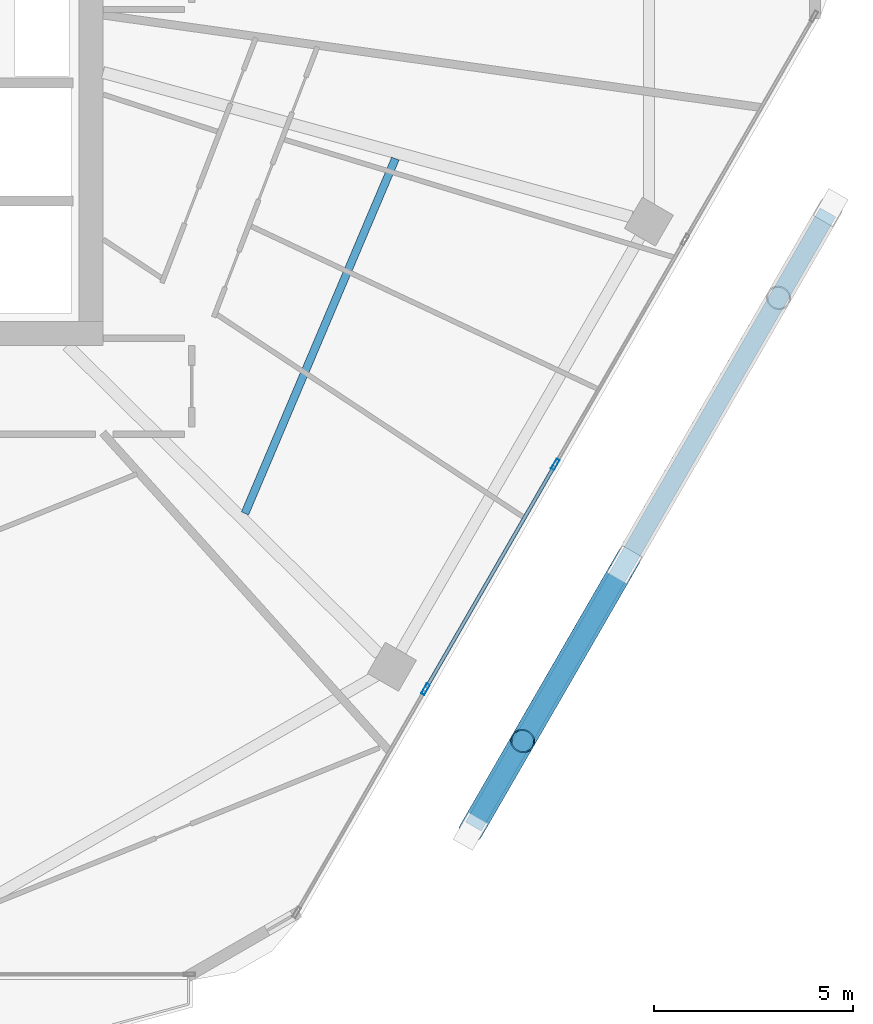
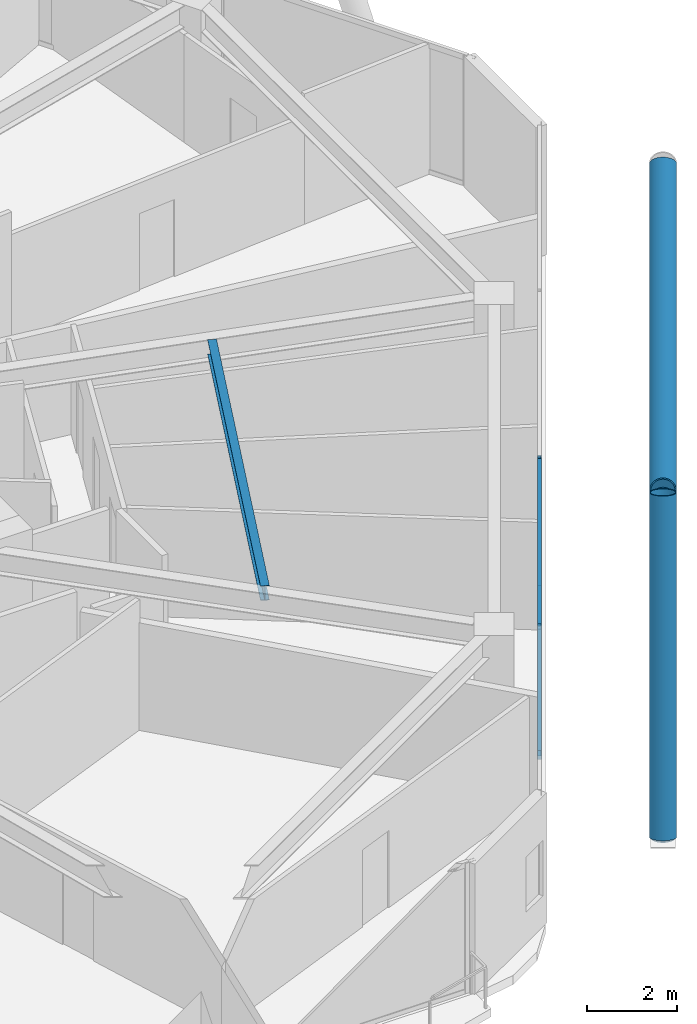
# One storey, part 9 of 26: 8 members, 1 beam, 1 element without a shape of its own.
"""IFC4 building model written with IfcOpenShell, lengths in metres."""

from ifc_helpers import new_model, si_unit, direction, frame, origin, origin_2d, place, context, subcontext, project, spatial, hollow_rectangle, hollow_circle, i_section, extrude, material, material_profile, profile_set, type_object, element, aggregate, save


model = new_model("IFC4")

# Units and contexts
model_context = context("Model", 3, precision=1e-05, world=origin(), true_north=direction((0.0, 1.0)))
body_context = subcontext(model_context, "Body", "Model", "MODEL_VIEW")
ifc_project = project(units=[si_unit("LENGTHUNIT", "METRE"), si_unit("AREAUNIT", "SQUARE_METRE"), si_unit("VOLUMEUNIT", "CUBIC_METRE"), si_unit("PLANEANGLEUNIT", "RADIAN"), si_unit("MASSUNIT", "GRAM", prefix="KILO")], contexts=[model_context])

# Site, building, storey
site_placement = place(None, origin())
site = spatial("IfcSite", under=ifc_project, at=site_placement, CompositionType="ELEMENT")
building_placement = place(site_placement, origin())
building = spatial("IfcBuilding", under=site, at=building_placement, Name="Zuhravey Tower", CompositionType="ELEMENT")
storey_placement = place(building_placement, frame((0.0, 0.0, 231.199951171875)))
storey = spatial("IfcBuildingStorey", under=building, at=storey_placement, Name="L58", CompositionType="ELEMENT", Elevation=231.199951171875)

# Curtain wall, members
ifc_material_1 = material(Name="Thermally broken anodised aluminium", Category="aluminium")
curtain_wall_type = type_object("IfcCurtainWallType", Name="Zone 3-4 High-Rise Curtain Wall CW4", PredefinedType="NOTDEFINED", material=ifc_material_1)
curtain_wall_placement = place(storey_placement, origin())
curtain_wall = element("IfcCurtainWall", 1, at=curtain_wall_placement, inside=storey, type_object=curtain_wall_type, Name="L58 CW4 CW-L58-F6-1", PredefinedType="NOTDEFINED")
ifc_material_2 = material(Name="Anodised aluminium", Category="aluminium")
ifc_material_profile_1 = material_profile(ifc_material_2, hollow_rectangle(XDim=0.090087890625, YDim=0.284912109375, WallThickness=0.0048828125, at=origin_2d()), Name="ALU-RHS-90x285x5")
ifc_profile_set_1 = profile_set([ifc_material_profile_1], Name="Anodised aluminium")
member_type_1 = type_object("IfcMemberType", Name="Curtain-Wall Mullion 90x180", PredefinedType="MULLION", material=ifc_profile_set_1)
member_1_placement = place(storey_placement, frame((58.138671875, 19.21826171875, 0.0), z_axis=(0.0, 0.0, 1.0), x_axis=(0.866024851021, -0.500000957414, 0.0)))
member_1 = element("IfcMember", 2, at=member_1_placement, type_object=member_type_1, Name="CW4 mullion 3", PredefinedType="MULLION", context=body_context, shape_type="SweptSolid", body=[
    extrude(hollow_rectangle(XDim=0.090087890625, YDim=0.284912109375, WallThickness=0.0048828125, at=origin_2d()), origin(), (0.0, 0.0, 1.0), 3.550048828125),
])
member_2_placement = place(storey_placement, frame((54.885498046875, 13.58349609375, 0.0), z_axis=(0.0, 0.0, 1.0), x_axis=(0.866024851021, -0.500000957414, 0.0)))
member_2 = element("IfcMember", 3, at=member_2_placement, type_object=member_type_1, Name="CW4 mullion 4", PredefinedType="MULLION", context=body_context, shape_type="SweptSolid", body=[
    extrude(hollow_rectangle(XDim=0.090087890625, YDim=0.284912109375, WallThickness=0.0048828125, at=origin_2d()), origin(), (0.0, 0.0, 1.0), 3.550048828125),
])
ifc_material_profile_2 = material_profile(ifc_material_2, hollow_rectangle(XDim=0.090087890625, YDim=0.14990234375, WallThickness=0.0048828125, at=origin_2d()), Name="ALU-RHS-90x150x5")
ifc_profile_set_2 = profile_set([ifc_material_profile_2], Name="Anodised aluminium")
member_type_2 = type_object("IfcMemberType", Name="Curtain-Wall Transom 90x150", PredefinedType="USERDEFINED", material=ifc_profile_set_2)
member_3_placement = place(storey_placement, frame((58.1162109375, 19.17919921875, 0.045166015625), z_axis=(-0.500014493347, -0.866017035885, 0.0), x_axis=(0.866017035885, -0.500014493347, 0.0)))
member_3 = element("IfcMember", 4, at=member_3_placement, type_object=member_type_2, Name="CW4 transom 3.1", ObjectType="TRANSOM", PredefinedType="USERDEFINED", context=body_context, shape_type="SweptSolid", body=[
    extrude(hollow_rectangle(XDim=0.090087890625, YDim=0.14990234375, WallThickness=0.0048828125, at=origin_2d()), origin(), (0.0, 0.0, 1.0), 6.416259765625),
])
member_4_placement = place(storey_placement, frame((58.1162109375, 19.17919921875, 3.505126953125), z_axis=(-0.500014493347, -0.866017035885, 0.0), x_axis=(0.866017035885, -0.500014493347, 0.0)))
member_4 = element("IfcMember", 5, at=member_4_placement, type_object=member_type_2, Name="CW4 transom 3.2", ObjectType="TRANSOM", PredefinedType="USERDEFINED", context=body_context, shape_type="SweptSolid", body=[
    extrude(hollow_rectangle(XDim=0.090087890625, YDim=0.14990234375, WallThickness=0.0048828125, at=origin_2d()), origin(), (0.0, 0.0, 1.0), 6.416259765625),
])
aggregate(curtain_wall, [member_1, member_2, member_3, member_4])

# Members
ifc_material_3 = material(Name="Steel SM355", Category="steel")
ifc_material_profile_3 = material_profile(ifc_material_3, hollow_circle(Radius=0.228515625, WallThickness=0.02197265625, at=origin_2d()), Name="CHS-457.2x22")
ifc_profile_set_3 = profile_set([ifc_material_profile_3], Name="Steel SM355")
member_type_3 = type_object("IfcMemberType", Name="Exoskeleton Ring Tie CHS457x22", PredefinedType="CHORD", material=ifc_profile_set_3)
member_5_placement = place(storey_placement, frame((56.08447265625, 10.14013671875, -0.4638671875), z_axis=(0.499995467921, 0.866028020366, 0.0), x_axis=(-0.866028020366, 0.499995467921, 0.0)))
element("IfcMember", 6, at=member_5_placement, inside=storey, type_object=member_type_3, Name="L58 Exoskeleton Face 6 Tie EXR1", PredefinedType="CHORD", context=body_context, shape_type="SweptSolid", body=[
    extrude(hollow_circle(Radius=0.228515625, WallThickness=0.02197265625, at=origin_2d()), origin(), (0.0, 0.0, 1.0), 17.778076171875),
])
ifc_material_profile_4 = material_profile(ifc_material_3, hollow_circle(Radius=0.3046875, WallThickness=0.028076171875, at=origin_2d()), Name="CHS-609.6x28")
ifc_profile_set_4 = profile_set([ifc_material_profile_4], Name="Steel SM355")
member_type_4 = type_object("IfcMemberType", Name="Exoskeleton Zone 3 Diagrid CHS610x28", PredefinedType="BRACE", material=ifc_profile_set_4)
member_6_placement = place(storey_placement, frame((56.017578125, 10.024169921875, -0.446044921875), z_axis=(0.163024515217, 0.282386653254, 0.94534691278), x_axis=(-0.866040668696, 0.499973559465, 0.0)))
element("IfcMember", 7, at=member_6_placement, inside=storey, type_object=member_type_4, Name="L58 Face 6 Diagrid Brace 1", PredefinedType="BRACE", context=body_context, shape_type="SweptSolid", body=[
    extrude(hollow_circle(Radius=0.3046875, WallThickness=0.028076171875, at=origin_2d()), origin(), (0.0, 0.0, 1.0), 8.00146484375),
])
member_7_placement = place(storey_placement, frame((56.03271484375, 10.050537109375, -0.446044921875), z_axis=(0.448584334027, 0.776956905635, 0.44171264647), x_axis=(-0.866021515814, 0.500006734102, 0.0)))
element("IfcMember", 8, at=member_7_placement, inside=storey, type_object=member_type_4, Name="L58 Face 6 Diagrid Brace 2", PredefinedType="BRACE", context=body_context, shape_type="SweptSolid", body=[
    extrude(hollow_circle(Radius=0.3046875, WallThickness=0.028076171875, at=origin_2d()), origin(), (0.0, 0.0, 1.0), 17.124755859375),
])
member_8_placement = place(storey_placement, frame((59.75537109375, 16.498291015625, 3.512451171875), z_axis=(-0.400857097635, -0.694313522504, 0.597697515256), x_axis=(0.866028105091, -0.49999532117, 0.0)))
element("IfcMember", 9, at=member_8_placement, inside=storey, type_object=member_type_4, Name="L58 Face 6 Split Diagrid Brace 3B", PredefinedType="BRACE", context=body_context, shape_type="SweptSolid", body=[
    extrude(hollow_circle(Radius=0.3046875, WallThickness=0.028076171875, at=origin_2d()), origin(), (0.0, 0.0, 1.0), 6.021728515625),
])

# Beam
ifc_material_profile_5 = material_profile(ifc_material_3, i_section(OverallWidth=0.199951171875, OverallDepth=0.39990234375, WebThickness=0.008056640625, FlangeThickness=0.012939453125, at=origin_2d()), Name="H-400x200x8x13")
ifc_profile_set_5 = profile_set([ifc_material_profile_5], Name="Steel SM355")
beam_type = type_object("IfcBeamType", Name="Secondary Floor Joist H400x200", PredefinedType="JOIST", material=ifc_profile_set_5)
beam_placement = place(storey_placement, frame((50.36083984375, 17.990966796875, 3.35009765625), z_axis=(0.390413493754, 0.920639616731, 0.0), x_axis=(-0.920639616731, 0.390413493754, 0.0)))
element("IfcBeam", 10, at=beam_placement, inside=storey, type_object=beam_type, Name="L58 SJ2 BM-L58-SJ-11-1", PredefinedType="JOIST", context=body_context, shape_type="SweptSolid", body=[
    extrude(i_section(OverallWidth=0.199951171875, OverallDepth=0.39990234375, WebThickness=0.008056640625, FlangeThickness=0.012939453125, at=origin_2d()), origin(), (0.0, 0.0, 1.0), 9.656494140625),
])

save(model, "model.ifc")
